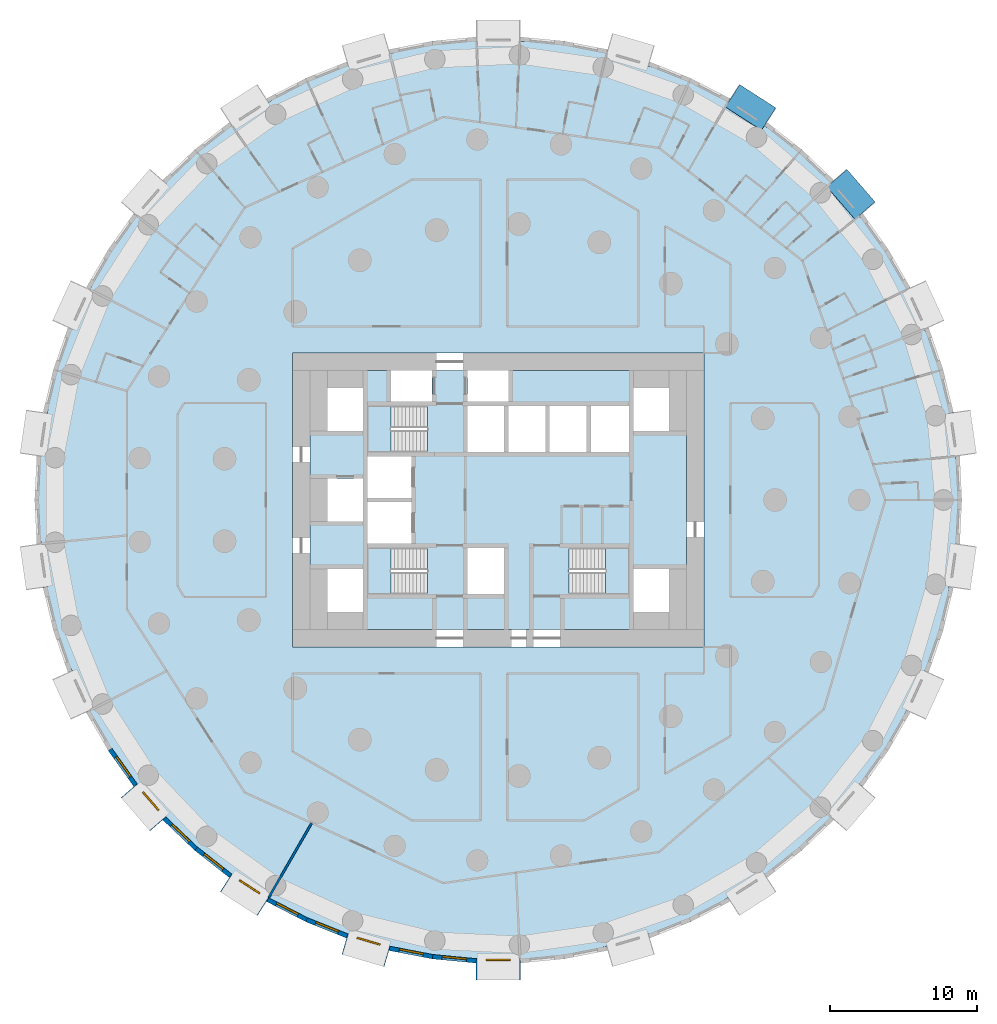
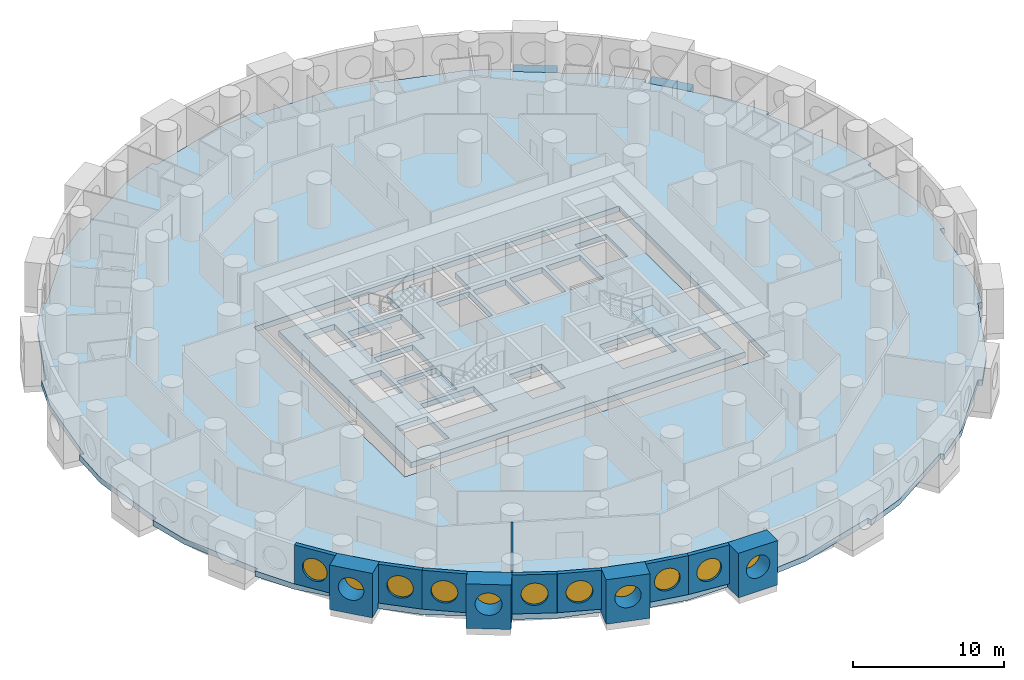
# One storey, part 2 of 12: 12 walls, 11 windows, 5 slabs, 2 beams, 11 openings, 3 elements without a shape of their own.
"""IFC4 building model written with IfcOpenShell, lengths in metres."""

from ifc_helpers import new_model, si_unit, direction, frame, frame_2d, origin, origin_2d, place, context, subcontext, project, spatial, polyline, rectangle, circle, outline, extrude, material, layer, layer_set, material_profile, profile_set, type_object, element, fill, aggregate, save


model = new_model("IFC4")

# Units and contexts
model_context = context("Model", 3, precision=1e-05, world=origin(), true_north=direction((0.0, 1.0)))
body_context = subcontext(model_context, "Body", "Model", "MODEL_VIEW")
ifc_project = project(units=[si_unit("LENGTHUNIT", "METRE"), si_unit("AREAUNIT", "SQUARE_METRE"), si_unit("VOLUMEUNIT", "CUBIC_METRE"), si_unit("PLANEANGLEUNIT", "RADIAN"), si_unit("MASSUNIT", "GRAM", prefix="KILO")], contexts=[model_context])

# Site, building, storey
site_placement = place(None, origin())
site = spatial("IfcSite", under=ifc_project, at=site_placement, CompositionType="ELEMENT")
building_placement = place(site_placement, origin())
building = spatial("IfcBuilding", under=site, at=building_placement, Name="Tracery Tower", CompositionType="ELEMENT")
storey_placement = place(building_placement, frame((0.0, 0.0, 46.199951171875)))
storey = spatial("IfcBuildingStorey", under=building, at=storey_placement, Name="L10", CompositionType="ELEMENT", Elevation=46.199951171875)

# Beams
ifc_material_1 = material(Name="Concrete C60/75", Category="concrete")
ifc_material_profile = material_profile(ifc_material_1, rectangle(XDim=1.81005859375, YDim=0.5, at=origin_2d()), Name="RC 1810x500")
ifc_profile_set = profile_set([ifc_material_profile], Name="Concrete C60/75")
beam_type = type_object("IfcBeamType", Name="Bay seat beam 1810 x 500", PredefinedType="BEAM", material=ifc_profile_set)
for number, where, z_axis, x_axis, name in (
    (1, (24.93896484375, 19.677978515625, -0.699951171875), (-0.65484458844, 0.755763564212, 0.0), (-0.755763564212, -0.65484458844, 0.0), "Bay seat beam 8 at L10"),
    (2, (18.384765625, 25.906982421875, -0.699951171875), (-0.84124638673, 0.540651936845, 0.0), (-0.540651936845, -0.84124638673, 0.0), "Bay seat beam 11 at L10"),
):
    element("IfcBeam", number, at=place(storey_placement, frame(where, z_axis=z_axis, x_axis=x_axis)), inside=storey, type_object=beam_type, Name=name, PredefinedType="BEAM", context=body_context, shape_type="SweptSolid", body=[
        extrude(rectangle(XDim=1.81005859375, YDim=0.5, at=origin_2d()), origin(), (0.0, 0.0, 1.0), 2.919921875),
    ])

# Slabs
ifc_material_2 = material(Name="Concrete C60/75", Category="concrete")
ifc_layer_1 = layer(ifc_material_2, 0.449951171875)
ifc_layer_set_1 = layer_set([ifc_layer_1], Name="Core floor slab 450 C60")
slab_type_1 = type_object("IfcSlabType", Name="Core floor slab 450 C60", PredefinedType="FLOOR", material=ifc_layer_set_1)
slab_1_placement = place(storey_placement, frame((0.0, 0.0, -0.449951171875)))
element("IfcSlab", 3, at=slab_1_placement, inside=storey, type_object=slab_type_1, Name="L10 core floor 1", PredefinedType="FLOOR", context=body_context, shape_type="SweptSolid", body=[
    extrude(outline(polyline([(-12.800048828125, 8.800048828125), (-7.300048828125, 8.800048828125), (-7.300048828125, 6.699951171875), (-4.5, 6.699951171875), (-4.5, 8.800048828125), (-2.10009765625, 8.800048828125), (-2.10009765625, 6.699951171875), (0.699951171875, 6.699951171875), (0.699951171875, 8.800048828125), (12.800048828125, 8.800048828125), (12.800048828125, -8.800048828125), (-12.800048828125, -8.800048828125), (-12.800048828125, 8.800048828125)]), holes=[polyline([(11.60009765625, -7.60009765625), (11.60009765625, -4.699951171875), (9.199951171875, -4.699951171875), (9.199951171875, -7.60009765625), (11.60009765625, -7.60009765625)]), polyline([(11.60009765625, 4.699951171875), (11.60009765625, 7.60009765625), (9.199951171875, 7.60009765625), (9.199951171875, 4.699951171875), (11.60009765625, 4.699951171875)]), polyline([(4.800537109375, -3.25), (4.800537109375, -6.39990234375), (8.89990234375, -6.39990234375), (8.89990234375, -3.25), (4.800537109375, -3.25)]), polyline([(6.300048828125, 3.25), (8.89990234375, 3.25), (8.89990234375, 6.39990234375), (6.300048828125, 6.39990234375), (6.300048828125, 3.25)]), polyline([(3.5, 3.25), (6.0, 3.25), (6.0, 6.39990234375), (3.5, 6.39990234375), (3.5, 3.25)]), polyline([(3.199951171875, 3.25), (3.199951171875, 6.39990234375), (0.699951171875, 6.39990234375), (0.699951171875, 3.25), (3.199951171875, 3.25)]), polyline([(-2.10009765625, 3.25), (0.39990234375, 3.25), (0.39990234375, 6.39990234375), (-2.10009765625, 6.39990234375), (-2.10009765625, 3.25)]), polyline([(0.39990234375, -6.39990234375), (0.39990234375, -3.25), (-2.10009765625, -3.25), (-2.10009765625, -6.39990234375), (0.39990234375, -6.39990234375)]), polyline([(-4.800537109375, -3.25), (-8.89990234375, -3.25), (-8.89990234375, -6.39990234375), (-4.800537109375, -6.39990234375), (-4.800537109375, -3.25)]), polyline([(-4.800537109375, 6.39990234375), (-8.89990234375, 6.39990234375), (-8.89990234375, 3.25), (-4.800537109375, 3.25), (-4.800537109375, 6.39990234375)]), polyline([(-8.89990234375, -2.949951171875), (-5.89990234375, -2.949951171875), (-5.89990234375, -0.14990234375), (-8.89990234375, -0.14990234375), (-8.89990234375, -2.949951171875)]), polyline([(-5.89990234375, 0.14990234375), (-5.89990234375, 2.949951171875), (-8.89990234375, 2.949951171875), (-8.89990234375, 0.14990234375), (-5.89990234375, 0.14990234375)]), polyline([(-11.60009765625, 4.699951171875), (-9.199951171875, 4.699951171875), (-9.199951171875, 7.60009765625), (-11.60009765625, 7.60009765625), (-11.60009765625, 4.699951171875)]), polyline([(-9.199951171875, -7.60009765625), (-9.199951171875, -4.699951171875), (-11.60009765625, -4.699951171875), (-11.60009765625, -7.60009765625), (-9.199951171875, -7.60009765625)]), polyline([(-9.199951171875, -1.449951171875), (-9.199951171875, 1.449951171875), (-11.60009765625, 1.449951171875), (-11.60009765625, -1.449951171875), (-9.199951171875, -1.449951171875)])]), origin(), (0.0, 0.0, 1.0), 0.449951171875),
])
ifc_material_3 = material(Name="Concrete C50/60", Category="concrete")
ifc_layer_2 = layer(ifc_material_3, 0.449951171875)
ifc_layer_set_2 = layer_set([ifc_layer_2], Name="Floor slab 450")
slab_type_2 = type_object("IfcSlabType", Name="Floor slab 450", PredefinedType="FLOOR", material=ifc_layer_set_2)
slab_2_placement = place(storey_placement, frame((0.0, 0.0, -0.449951171875)))
element("IfcSlab", 4, at=slab_2_placement, inside=storey, type_object=slab_type_2, Name="Floor slab L10", PredefinedType="FLOOR", context=body_context, shape_type="SweptSolid", body=[
    extrude(outline(polyline([(31.0849609375, 2.953857421875), (31.0849609375, 2.953857421875), (30.673583984375, 5.814697265625), (30.659912109375, 5.9091796875), (30.659912109375, 5.9091796875), (30.657958984375, 5.92333984375), (30.954345703125, 5.966064453125), (30.954833984375, 5.966064453125), (30.24755859375, 8.881591796875), (28.99365234375, 11.591796875), (28.993408203125, 11.591796875), (28.74609375, 12.1337890625), (27.753173828125, 14.307861328125), (27.753173828125, 14.307861328125), (27.747314453125, 14.32080078125), (28.020263671875, 14.4453125), (26.520263671875, 17.04345703125), (24.55322265625, 19.290771484375), (24.55322265625, 19.290771484375), (22.588623046875, 21.55810546875), (22.814697265625, 21.75390625), (22.8154296875, 21.75439453125), (20.644287109375, 23.82470703125), (18.123779296875, 25.4267578125), (18.123779296875, 25.4267578125), (18.12060546875, 25.428955078125), (18.11181640625, 25.4345703125), (15.612060546875, 27.041015625), (15.612060546875, 27.041015625), (15.60009765625, 27.048583984375), (15.76220703125, 27.301025390625), (13.095703125, 28.67578125), (10.226318359375, 29.5029296875), (10.226318359375, 29.5029296875), (7.34765625, 30.34814453125), (7.43212890625, 30.6357421875), (7.43212890625, 30.635986328125), (4.486328125, 31.20361328125), (1.5, 31.18896484375), (1.5, 31.18896484375), (-1.5, 31.18896484375), (-1.5, 31.489013671875), (-4.486328125, 31.20361328125), (-7.34765625, 30.34814453125), (-7.34765625, 30.34814453125), (-10.226318359375, 29.5029296875), (-10.310791015625, 29.790771484375), (-10.310791015625, 29.790771484375), (-13.095703125, 28.67578125), (-15.60009765625, 27.048828125), (-15.60009765625, 27.048583984375), (-15.60888671875, 27.04296875), (-15.612060546875, 27.041015625), (-18.11181640625, 25.4345703125), (-18.11181640625, 25.4345703125), (-18.123779296875, 25.4267578125), (-18.285888671875, 25.6787109375), (-18.2861328125, 25.67919921875), (-20.644287109375, 23.82470703125), (-22.5888671875, 21.55810546875), (-22.588623046875, 21.55810546875), (-24.55322265625, 19.290771484375), (-24.77978515625, 19.487060546875), (-24.780029296875, 19.4873046875), (-26.520263671875, 17.04345703125), (-27.747314453125, 14.32080078125), (-27.747314453125, 14.32080078125), (-27.751708984375, 14.311279296875), (-27.753173828125, 14.307861328125), (-28.74609375, 12.1337890625), (-28.993408203125, 11.591796875), (-29.266357421875, 11.716552734375), (-30.24755859375, 8.881591796875), (-30.657958984375, 5.92333984375), (-30.657958984375, 5.92333984375), (-30.659912109375, 5.909423828125), (-30.659912109375, 5.9091796875), (-30.673583984375, 5.814697265625), (-31.0849609375, 2.953857421875), (-31.381591796875, 2.99658203125), (-31.3818359375, 2.99658203125), (-31.524658203125, 0.0), (-31.0849609375, -2.953857421875), (-31.0849609375, -2.953857421875), (-30.673583984375, -5.814697265625), (-30.659912109375, -5.9091796875), (-30.659912109375, -5.9091796875), (-30.657958984375, -5.92333984375), (-30.954345703125, -5.966064453125), (-30.954833984375, -5.966064453125), (-30.24755859375, -8.881591796875), (-28.99365234375, -11.591796875), (-28.993408203125, -11.591796875), (-28.74609375, -12.1337890625), (-27.753173828125, -14.307861328125), (-27.753173828125, -14.307861328125), (-27.747314453125, -14.32080078125), (-28.020263671875, -14.4453125), (-26.520263671875, -17.04345703125), (-24.55322265625, -19.290771484375), (-24.55322265625, -19.290771484375), (-22.588623046875, -21.55810546875), (-22.814697265625, -21.75390625), (-22.8154296875, -21.75439453125), (-20.644287109375, -23.82470703125), (-18.123779296875, -25.4267578125), (-18.123779296875, -25.4267578125), (-18.12060546875, -25.428955078125), (-18.11181640625, -25.4345703125), (-15.612060546875, -27.041015625), (-15.612060546875, -27.041015625), (-15.60009765625, -27.048583984375), (-15.76220703125, -27.301025390625), (-13.095703125, -28.67578125), (-10.226318359375, -29.5029296875), (-10.226318359375, -29.5029296875), (-7.34765625, -30.34814453125), (-7.43212890625, -30.6357421875), (-7.43212890625, -30.635986328125), (-4.486328125, -31.20361328125), (-1.5, -31.18896484375), (-1.5, -31.18896484375), (1.5, -31.18896484375), (1.5, -31.489013671875), (4.486328125, -31.20361328125), (7.34765625, -30.34814453125), (7.34765625, -30.34814453125), (10.226318359375, -29.5029296875), (10.310791015625, -29.790771484375), (10.310791015625, -29.790771484375), (13.095703125, -28.67578125), (15.60009765625, -27.048828125), (15.60009765625, -27.048583984375), (15.60888671875, -27.04296875), (15.612060546875, -27.041015625), (18.11181640625, -25.4345703125), (18.11181640625, -25.4345703125), (18.123779296875, -25.4267578125), (18.285888671875, -25.6787109375), (18.2861328125, -25.67919921875), (20.644287109375, -23.82470703125), (22.5888671875, -21.55810546875), (22.588623046875, -21.55810546875), (24.55322265625, -19.290771484375), (24.77978515625, -19.487060546875), (24.780029296875, -19.4873046875), (26.520263671875, -17.04345703125), (27.747314453125, -14.32080078125), (27.747314453125, -14.32080078125), (27.751708984375, -14.311279296875), (27.753173828125, -14.307861328125), (28.74609375, -12.1337890625), (28.993408203125, -11.591796875), (29.266357421875, -11.716552734375), (30.24755859375, -8.881591796875), (30.657958984375, -5.92333984375), (30.657958984375, -5.92333984375), (30.659912109375, -5.909423828125), (30.659912109375, -5.9091796875), (30.673583984375, -5.814697265625), (31.0849609375, -2.953857421875), (31.381591796875, -2.99658203125), (31.3818359375, -2.99658203125), (31.524658203125, 0.0), (31.0849609375, 2.953857421875)]), holes=[polyline([(-14.0, -10.0), (14.0, -10.0), (14.0, 10.0), (-14.0, 10.0), (-14.0, -10.0)])]), origin(), (0.0, 0.0, 1.0), 0.449951171875),
])

# Stair, slab
ifc_material_4 = material(Name="Concrete C32/40", Category="concrete")
stair_type = type_object("IfcStairType", Name="Core stair 22 risers", PredefinedType="HALF_TURN_STAIR", material=ifc_material_4)
stair_1_placement = place(storey_placement, origin())
stair_1 = element("IfcStair", 5, at=stair_1_placement, inside=storey, type_object=stair_type, Name="L10 stair ST1", PredefinedType="HALF_TURN_STAIR")
ifc_material_5 = material(Name="Concrete C32/40", Category="concrete")
ifc_layer_3 = layer(ifc_material_5, 0.199951171875)
ifc_layer_set_3 = layer_set([ifc_layer_3], Name="Stair landing slab 200")
slab_type_3 = type_object("IfcSlabType", Name="Stair landing slab 200", PredefinedType="LANDING", material=ifc_layer_set_3)
slab_3_placement = place(storey_placement, frame((0.0, 0.0, 1.60009765625)))
slab_3 = element("IfcSlab", 6, at=slab_3_placement, type_object=slab_type_3, Name="ST1 landing 1", PredefinedType="LANDING", context=body_context, shape_type="SweptSolid", body=[
    extrude(outline(polyline([(-7.29931640625, -3.25), (-8.89990234375, -3.25), (-8.89990234375, -6.39990234375), (-7.29931640625, -6.39990234375), (-7.29931640625, -3.25)])), origin(), (0.0, 0.0, 1.0), 0.199951171875),
])
aggregate(stair_1, [slab_3])

stair_2_placement = place(storey_placement, origin())
stair_2 = element("IfcStair", 7, at=stair_2_placement, inside=storey, type_object=stair_type, Name="L10 stair ST3", PredefinedType="HALF_TURN_STAIR")
slab_4_placement = place(storey_placement, frame((0.0, 0.0, 1.60009765625)))
slab_4 = element("IfcSlab", 8, at=slab_4_placement, type_object=slab_type_3, Name="ST3 landing 1", PredefinedType="LANDING", context=body_context, shape_type="SweptSolid", body=[
    extrude(outline(polyline([(-7.29931640625, 6.39990234375), (-8.89990234375, 6.39990234375), (-8.89990234375, 3.25), (-7.29931640625, 3.25), (-7.29931640625, 6.39990234375)])), origin(), (0.0, 0.0, 1.0), 0.199951171875),
])
aggregate(stair_2, [slab_4])

stair_3_placement = place(storey_placement, origin())
stair_3 = element("IfcStair", 9, at=stair_3_placement, inside=storey, type_object=stair_type, Name="L10 stair ST2", PredefinedType="HALF_TURN_STAIR")
slab_5_placement = place(storey_placement, frame((0.0, 0.0, 1.60009765625)))
slab_5 = element("IfcSlab", 10, at=slab_5_placement, type_object=slab_type_3, Name="ST2 landing 1", PredefinedType="LANDING", context=body_context, shape_type="SweptSolid", body=[
    extrude(outline(polyline([(7.29931640625, -6.39990234375), (8.89990234375, -6.39990234375), (8.89990234375, -3.25), (7.29931640625, -3.25), (7.29931640625, -6.39990234375)])), origin(), (0.0, 0.0, 1.0), 0.199951171875),
])
aggregate(stair_3, [slab_5])

# Wall, opening, window
ifc_material_6 = material(Name="Precast concrete C50/60", Category="concrete")
ifc_layer_4 = layer(ifc_material_6, 1.449951171875)
ifc_layer_set_4 = layer_set([ifc_layer_4], Name="Deep-set bay unit 3000 x 3600, slab edge 450")
wall_type_1 = type_object("IfcWallType", Name="Deep-set bay unit 3000 x 3600, slab edge 450", PredefinedType="ELEMENTEDWALL", material=ifc_layer_set_4)
wall_1_placement = place(storey_placement, frame((-25.101318359375, -19.765625, -0.449951171875), z_axis=(0.0, 0.0, 1.0), x_axis=(0.654890259022, -0.75572398972, 0.0)))
wall_1 = element("IfcWall", 11, at=wall_1_placement, inside=storey, type_object=wall_type_1, Name="Deep-set bay unit 41 at L10", PredefinedType="ELEMENTEDWALL", context=body_context, shape_type="SweptSolid", body=[
    extrude(rectangle(XDim=3.0, YDim=1.449951171875, at=frame_2d((1.5, 0.0))), origin(), (0.0, 0.0, 1.0), 3.60009765625),
])
opening_1_placement = place(wall_1_placement, frame((1.5, 0.0, 2.0)))
opening_1 = element("IfcOpeningElement", 12, at=opening_1_placement, cuts=wall_1, Name="Opening WN1", PredefinedType="OPENING", context=body_context, shape_type="SweptSolid", body=[
    extrude(circle(Radius=0.9000244140625, at=origin_2d()), frame((0.0, 0.73486328125, 0.0), z_axis=(0.0, -1.0, 0.0), x_axis=(1.0, 0.0, 0.0)), (0.0, 0.0, 1.0), 1.469970703125),
])
ifc_material_7 = material(Name="Aluminium frame with tinted double glazing", Category="aluminium")
window_type = type_object("IfcWindowType", Name="Round window 1800", PartitioningType="SINGLE_PANEL", PredefinedType="WINDOW", material=ifc_material_7)
window_1_placement = place(opening_1_placement, origin())
window_1 = element("IfcWindow", 13, at=window_1_placement, inside=storey, type_object=window_type, Name="Round window 41 at L10", OverallHeight=1.800048828125, OverallWidth=1.800048828125, PartitioningType="SINGLE_PANEL", PredefinedType="WINDOW", context=body_context, shape_type="SweptSolid", body=[
    extrude(circle(Radius=0.9000244140625, at=origin_2d()), frame((0.0, 0.69482421875, 0.0), z_axis=(0.0, -1.0, 0.0), x_axis=(1.0, 0.0, 0.0)), (0.0, 0.0, 1.0), 0.10009765625),
])
fill(opening_1, window_1)

wall_2_placement = place(storey_placement, frame((-18.515869140625, -26.03662109375, -0.449951171875), z_axis=(0.0, 0.0, 1.0), x_axis=(0.841223422347, -0.540687667415, 0.0)))
wall_2 = element("IfcWall", 14, at=wall_2_placement, inside=storey, type_object=wall_type_1, Name="Deep-set bay unit 44 at L10", PredefinedType="ELEMENTEDWALL", context=body_context, shape_type="SweptSolid", body=[
    extrude(rectangle(XDim=3.0, YDim=1.449951171875, at=frame_2d((1.5, 0.0))), origin(), (0.0, 0.0, 1.0), 3.60009765625),
])
opening_2_placement = place(wall_2_placement, frame((1.5, 0.0, 2.0)))
opening_2 = element("IfcOpeningElement", 15, at=opening_2_placement, cuts=wall_2, Name="Opening WN1", PredefinedType="OPENING", context=body_context, shape_type="SweptSolid", body=[
    extrude(circle(Radius=0.9000244140625, at=origin_2d()), frame((0.0, 0.73486328125, 0.0), z_axis=(0.0, -1.0, 0.0), x_axis=(1.0, 0.0, 0.0)), (0.0, 0.0, 1.0), 1.469970703125),
])
window_2_placement = place(opening_2_placement, origin())
window_2 = element("IfcWindow", 16, at=window_2_placement, inside=storey, type_object=window_type, Name="Round window 44 at L10", OverallHeight=1.800048828125, OverallWidth=1.800048828125, PartitioningType="SINGLE_PANEL", PredefinedType="WINDOW", context=body_context, shape_type="SweptSolid", body=[
    extrude(circle(Radius=0.9000244140625, at=origin_2d()), frame((0.0, 0.69482421875, 0.0), z_axis=(0.0, -1.0, 0.0), x_axis=(1.0, 0.0, 0.0)), (0.0, 0.0, 1.0), 0.10009765625),
])
fill(opening_2, window_2)

wall_3_placement = place(storey_placement, frame((-10.430419921875, -30.198486328125, -0.449951171875), z_axis=(0.0, 0.0, 1.0), x_axis=(0.959489813418, -0.281743319258, 0.0)))
wall_3 = element("IfcWall", 17, at=wall_3_placement, inside=storey, type_object=wall_type_1, Name="Deep-set bay unit 47 at L10", PredefinedType="ELEMENTEDWALL", context=body_context, shape_type="SweptSolid", body=[
    extrude(rectangle(XDim=3.0, YDim=1.449951171875, at=frame_2d((1.5, 0.0))), origin(), (0.0, 0.0, 1.0), 3.60009765625),
])
opening_3_placement = place(wall_3_placement, frame((1.5, 0.0, 2.0)))
opening_3 = element("IfcOpeningElement", 18, at=opening_3_placement, cuts=wall_3, Name="Opening WN1", PredefinedType="OPENING", context=body_context, shape_type="SweptSolid", body=[
    extrude(circle(Radius=0.9000244140625, at=origin_2d()), frame((0.0, 0.73486328125, 0.0), z_axis=(0.0, -1.0, 0.0), x_axis=(1.0, 0.0, 0.0)), (0.0, 0.0, 1.0), 1.469970703125),
])
window_3_placement = place(opening_3_placement, origin())
window_3 = element("IfcWindow", 19, at=window_3_placement, inside=storey, type_object=window_type, Name="Round window 47 at L10", OverallHeight=1.800048828125, OverallWidth=1.800048828125, PartitioningType="SINGLE_PANEL", PredefinedType="WINDOW", context=body_context, shape_type="SweptSolid", body=[
    extrude(circle(Radius=0.9000244140625, at=origin_2d()), frame((0.0, 0.69482421875, 0.0), z_axis=(0.0, -1.0, 0.0), x_axis=(1.0, 0.0, 0.0)), (0.0, 0.0, 1.0), 0.10009765625),
])
fill(opening_3, window_3)

wall_4_placement = place(storey_placement, frame((-1.5, -31.913818359375, -0.449951171875), z_axis=(0.0, 0.0, 1.0), x_axis=(1.0, 0.0, 0.0)))
wall_4 = element("IfcWall", 20, at=wall_4_placement, inside=storey, type_object=wall_type_1, Name="Deep-set bay unit 50 at L10", PredefinedType="ELEMENTEDWALL", context=body_context, shape_type="SweptSolid", body=[
    extrude(rectangle(XDim=3.0, YDim=1.449951171875, at=frame_2d((1.5, 0.0))), origin(), (0.0, 0.0, 1.0), 3.60009765625),
])
opening_4_placement = place(wall_4_placement, frame((1.5, 0.0, 2.0)))
opening_4 = element("IfcOpeningElement", 21, at=opening_4_placement, cuts=wall_4, Name="Opening WN1", PredefinedType="OPENING", context=body_context, shape_type="SweptSolid", body=[
    extrude(circle(Radius=0.9000244140625, at=origin_2d()), frame((0.0, 0.73486328125, 0.0), z_axis=(0.0, -1.0, 0.0), x_axis=(1.0, 0.0, 0.0)), (0.0, 0.0, 1.0), 1.469970703125),
])
window_4_placement = place(opening_4_placement, origin())
window_4 = element("IfcWindow", 22, at=window_4_placement, inside=storey, type_object=window_type, Name="Round window 50 at L10", OverallHeight=1.800048828125, OverallWidth=1.800048828125, PartitioningType="SINGLE_PANEL", PredefinedType="WINDOW", context=body_context, shape_type="SweptSolid", body=[
    extrude(circle(Radius=0.9000244140625, at=origin_2d()), frame((0.0, 0.69482421875, 0.0), z_axis=(0.0, -1.0, 0.0), x_axis=(1.0, 0.0, 0.0)), (0.0, 0.0, 1.0), 0.10009765625),
])
fill(opening_4, window_4)

ifc_material_8 = material(Name="Precast concrete C50/60", Category="concrete")
ifc_layer_5 = layer(ifc_material_8, 0.300048828125)
ifc_layer_set_5 = layer_set([ifc_layer_5], Name="Facade panel 3000 x 3150")
wall_type_2 = type_object("IfcWallType", Name="Facade panel 3000 x 3150", PredefinedType="SOLIDWALL", material=ifc_layer_set_5)
wall_5_placement = place(storey_placement, frame((-26.393798828125, -16.96240234375, 0.0), z_axis=(0.0, 0.0, 1.0), x_axis=(0.580059407678, -0.81457417315, 0.0)))
wall_5 = element("IfcWall", 23, at=wall_5_placement, inside=storey, type_object=wall_type_2, Name="Facade panel 40 at L10", PredefinedType="SOLIDWALL", context=body_context, shape_type="SweptSolid", body=[
    extrude(rectangle(XDim=2.9794921875, YDim=0.300048828125, at=frame_2d((1.48974609375, 0.0))), origin(), (0.0, 0.0, 1.0), 3.150146484375),
])
opening_5_placement = place(wall_5_placement, frame((1.48974609375, 0.0, 1.5498046875)))
opening_5 = element("IfcOpeningElement", 24, at=opening_5_placement, cuts=wall_5, Name="Opening WN1", PredefinedType="OPENING", context=body_context, shape_type="SweptSolid", body=[
    extrude(circle(Radius=0.9000244140625, at=origin_2d()), frame((0.0, 0.159912109375, 0.0), z_axis=(0.0, -1.0, 0.0), x_axis=(1.0, 0.0, 0.0)), (0.0, 0.0, 1.0), 0.320068359375),
])
window_5_placement = place(opening_5_placement, origin())
window_5 = element("IfcWindow", 25, at=window_5_placement, inside=storey, type_object=window_type, Name="Round window 40 at L10", OverallHeight=1.800048828125, OverallWidth=1.800048828125, PartitioningType="SINGLE_PANEL", PredefinedType="WINDOW", context=body_context, shape_type="SweptSolid", body=[
    extrude(circle(Radius=0.9000244140625, at=origin_2d()), frame((0.0, 0.1201171875, 0.0), z_axis=(0.0, -1.0, 0.0), x_axis=(1.0, 0.0, 0.0)), (0.0, 0.0, 1.0), 0.10009765625),
])
fill(opening_5, window_5)

wall_6_placement = place(storey_placement, frame((-22.702392578125, -21.655029296875, 0.0), z_axis=(0.0, 0.0, 1.0), x_axis=(0.723744206617, -0.690068346896, 0.0)))
wall_6 = element("IfcWall", 26, at=wall_6_placement, inside=storey, type_object=wall_type_2, Name="Facade panel 42 at L10", PredefinedType="SOLIDWALL", context=body_context, shape_type="SweptSolid", body=[
    extrude(rectangle(XDim=2.979736328125, YDim=0.300048828125, at=frame_2d((1.48974609375, 0.0))), origin(), (0.0, 0.0, 1.0), 3.150146484375),
])
opening_6_placement = place(wall_6_placement, frame((1.48974609375, 0.0, 1.5498046875)))
opening_6 = element("IfcOpeningElement", 27, at=opening_6_placement, cuts=wall_6, Name="Opening WN1", PredefinedType="OPENING", context=body_context, shape_type="SweptSolid", body=[
    extrude(circle(Radius=0.9000244140625, at=origin_2d()), frame((0.0, 0.159912109375, 0.0), z_axis=(0.0, -1.0, 0.0), x_axis=(1.0, 0.0, 0.0)), (0.0, 0.0, 1.0), 0.320068359375),
])
window_6_placement = place(opening_6_placement, origin())
window_6 = element("IfcWindow", 28, at=window_6_placement, inside=storey, type_object=window_type, Name="Round window 42 at L10", OverallHeight=1.800048828125, OverallWidth=1.800048828125, PartitioningType="SINGLE_PANEL", PredefinedType="WINDOW", context=body_context, shape_type="SweptSolid", body=[
    extrude(circle(Radius=0.9000244140625, at=origin_2d()), frame((0.0, 0.1201171875, 0.0), z_axis=(0.0, -1.0, 0.0), x_axis=(1.0, 0.0, 0.0)), (0.0, 0.0, 1.0), 0.10009765625),
])
fill(opening_6, window_6)

wall_7_placement = place(storey_placement, frame((-20.5458984375, -23.711181640625, 0.0), z_axis=(0.0, 0.0, 1.0), x_axis=(0.786045331304, -0.618168858108, 0.0)))
wall_7 = element("IfcWall", 29, at=wall_7_placement, inside=storey, type_object=wall_type_2, Name="Facade panel 43 at L10", PredefinedType="SOLIDWALL", context=body_context, shape_type="SweptSolid", body=[
    extrude(rectangle(XDim=2.979736328125, YDim=0.300048828125, at=frame_2d((1.48974609375, 0.0))), origin(), (0.0, 0.0, 1.0), 3.150146484375),
])
opening_7_placement = place(wall_7_placement, frame((1.48974609375, 0.0, 1.5498046875)))
opening_7 = element("IfcOpeningElement", 30, at=opening_7_placement, cuts=wall_7, Name="Opening WN1", PredefinedType="OPENING", context=body_context, shape_type="SweptSolid", body=[
    extrude(circle(Radius=0.9000244140625, at=origin_2d()), frame((0.0, 0.159912109375, 0.0), z_axis=(0.0, -1.0, 0.0), x_axis=(1.0, 0.0, 0.0)), (0.0, 0.0, 1.0), 0.320068359375),
])
window_7_placement = place(opening_7_placement, origin())
window_7 = element("IfcWindow", 31, at=window_7_placement, inside=storey, type_object=window_type, Name="Round window 43 at L10", OverallHeight=1.800048828125, OverallWidth=1.800048828125, PartitioningType="SINGLE_PANEL", PredefinedType="WINDOW", context=body_context, shape_type="SweptSolid", body=[
    extrude(circle(Radius=0.9000244140625, at=origin_2d()), frame((0.0, 0.1201171875, 0.0), z_axis=(0.0, -1.0, 0.0), x_axis=(1.0, 0.0, 0.0)), (0.0, 0.0, 1.0), 0.10009765625),
])
fill(opening_7, window_7)

wall_8_placement = place(storey_placement, frame((-15.681884765625, -27.173828125, 0.0), z_axis=(0.0, 0.0, 1.0), x_axis=(0.888819853856, -0.458256770153, 0.0)))
wall_8 = element("IfcWall", 32, at=wall_8_placement, inside=storey, type_object=wall_type_2, Name="Facade panel 45 at L10", PredefinedType="SOLIDWALL", context=body_context, shape_type="SweptSolid", body=[
    extrude(rectangle(XDim=2.979736328125, YDim=0.300048828125, at=frame_2d((1.48974609375, 0.0))), origin(), (0.0, 0.0, 1.0), 3.150146484375),
])
opening_8_placement = place(wall_8_placement, frame((1.48974609375, 0.0, 1.5498046875)))
opening_8 = element("IfcOpeningElement", 33, at=opening_8_placement, cuts=wall_8, Name="Opening WN1", PredefinedType="OPENING", context=body_context, shape_type="SweptSolid", body=[
    extrude(circle(Radius=0.9000244140625, at=origin_2d()), frame((0.0, 0.159912109375, 0.0), z_axis=(0.0, -1.0, 0.0), x_axis=(1.0, 0.0, 0.0)), (0.0, 0.0, 1.0), 0.320068359375),
])
window_8_placement = place(opening_8_placement, origin())
window_8 = element("IfcWindow", 34, at=window_8_placement, inside=storey, type_object=window_type, Name="Round window 45 at L10", OverallHeight=1.800048828125, OverallWidth=1.800048828125, PartitioningType="SINGLE_PANEL", PredefinedType="WINDOW", context=body_context, shape_type="SweptSolid", body=[
    extrude(circle(Radius=0.9000244140625, at=origin_2d()), frame((0.0, 0.1201171875, 0.0), z_axis=(0.0, -1.0, 0.0), x_axis=(1.0, 0.0, 0.0)), (0.0, 0.0, 1.0), 0.10009765625),
])
fill(opening_8, window_8)

wall_9_placement = place(storey_placement, frame((-13.033447265625, -28.539306640625, 0.0), z_axis=(0.0, 0.0, 1.0), x_axis=(0.928403213937, -0.371574316054, 0.0)))
wall_9 = element("IfcWall", 35, at=wall_9_placement, inside=storey, type_object=wall_type_2, Name="Facade panel 46 at L10", PredefinedType="SOLIDWALL", context=body_context, shape_type="SweptSolid", body=[
    extrude(rectangle(XDim=2.979736328125, YDim=0.300048828125, at=frame_2d((1.48974609375, 0.0))), origin(), (0.0, 0.0, 1.0), 3.150146484375),
])
opening_9_placement = place(wall_9_placement, frame((1.48974609375, 0.0, 1.5498046875)))
opening_9 = element("IfcOpeningElement", 36, at=opening_9_placement, cuts=wall_9, Name="Opening WN1", PredefinedType="OPENING", context=body_context, shape_type="SweptSolid", body=[
    extrude(circle(Radius=0.9000244140625, at=origin_2d()), frame((0.0, 0.159912109375, 0.0), z_axis=(0.0, -1.0, 0.0), x_axis=(1.0, 0.0, 0.0)), (0.0, 0.0, 1.0), 0.320068359375),
])
window_9_placement = place(opening_9_placement, origin())
window_9 = element("IfcWindow", 37, at=window_9_placement, inside=storey, type_object=window_type, Name="Round window 46 at L10", OverallHeight=1.800048828125, OverallWidth=1.800048828125, PartitioningType="SINGLE_PANEL", PredefinedType="WINDOW", context=body_context, shape_type="SweptSolid", body=[
    extrude(circle(Radius=0.9000244140625, at=origin_2d()), frame((0.0, 0.1201171875, 0.0), z_axis=(0.0, -1.0, 0.0), x_axis=(1.0, 0.0, 0.0)), (0.0, 0.0, 1.0), 0.10009765625),
])
fill(opening_9, window_9)

wall_10_placement = place(storey_placement, frame((-7.390869140625, -30.4912109375, 0.0), z_axis=(0.0, 0.0, 1.0), x_axis=(0.981924535406, -0.189272836848, 0.0)))
wall_10 = element("IfcWall", 38, at=wall_10_placement, inside=storey, type_object=wall_type_2, Name="Facade panel 48 at L10", PredefinedType="SOLIDWALL", context=body_context, shape_type="SweptSolid", body=[
    extrude(rectangle(XDim=2.979736328125, YDim=0.300048828125, at=frame_2d((1.48974609375, 0.0))), origin(), (0.0, 0.0, 1.0), 3.150146484375),
])
opening_10_placement = place(wall_10_placement, frame((1.48974609375, 0.0, 1.5498046875)))
opening_10 = element("IfcOpeningElement", 39, at=opening_10_placement, cuts=wall_10, Name="Opening WN1", PredefinedType="OPENING", context=body_context, shape_type="SweptSolid", body=[
    extrude(circle(Radius=0.9000244140625, at=origin_2d()), frame((0.0, 0.159912109375, 0.0), z_axis=(0.0, -1.0, 0.0), x_axis=(1.0, 0.0, 0.0)), (0.0, 0.0, 1.0), 0.320068359375),
])
window_10_placement = place(opening_10_placement, origin())
window_10 = element("IfcWindow", 40, at=window_10_placement, inside=storey, type_object=window_type, Name="Round window 48 at L10", OverallHeight=1.800048828125, OverallWidth=1.800048828125, PartitioningType="SINGLE_PANEL", PredefinedType="WINDOW", context=body_context, shape_type="SweptSolid", body=[
    extrude(circle(Radius=0.9000244140625, at=origin_2d()), frame((0.0, 0.1201171875, 0.0), z_axis=(0.0, -1.0, 0.0), x_axis=(1.0, 0.0, 0.0)), (0.0, 0.0, 1.0), 0.10009765625),
])
fill(opening_10, window_10)

wall_11_placement = place(storey_placement, frame((-4.465087890625, -31.05517578125, 0.0), z_axis=(0.0, 0.0, 1.0), x_axis=(0.995473351551, -0.095041077185, 0.0)))
wall_11 = element("IfcWall", 41, at=wall_11_placement, inside=storey, type_object=wall_type_2, Name="Facade panel 49 at L10", PredefinedType="SOLIDWALL", context=body_context, shape_type="SweptSolid", body=[
    extrude(rectangle(XDim=2.979736328125, YDim=0.300048828125, at=frame_2d((1.48974609375, 0.0))), origin(), (0.0, 0.0, 1.0), 3.150146484375),
])
opening_11_placement = place(wall_11_placement, frame((1.48974609375, 0.0, 1.5498046875)))
opening_11 = element("IfcOpeningElement", 42, at=opening_11_placement, cuts=wall_11, Name="Opening WN1", PredefinedType="OPENING", context=body_context, shape_type="SweptSolid", body=[
    extrude(circle(Radius=0.9000244140625, at=origin_2d()), frame((0.0, 0.159912109375, 0.0), z_axis=(0.0, -1.0, 0.0), x_axis=(1.0, 0.0, 0.0)), (0.0, 0.0, 1.0), 0.320068359375),
])
window_11_placement = place(opening_11_placement, origin())
window_11 = element("IfcWindow", 43, at=window_11_placement, inside=storey, type_object=window_type, Name="Round window 49 at L10", OverallHeight=1.800048828125, OverallWidth=1.800048828125, PartitioningType="SINGLE_PANEL", PredefinedType="WINDOW", context=body_context, shape_type="SweptSolid", body=[
    extrude(circle(Radius=0.9000244140625, at=origin_2d()), frame((0.0, 0.1201171875, 0.0), z_axis=(0.0, -1.0, 0.0), x_axis=(1.0, 0.0, 0.0)), (0.0, 0.0, 1.0), 0.10009765625),
])
fill(opening_11, window_11)

# Wall
ifc_material_9 = material(Name="Plasterboard on steel studs", Category="steel")
ifc_layer_6 = layer(ifc_material_9, 0.14990234375)
ifc_layer_set_6 = layer_set([ifc_layer_6], Name="Partition 150 acoustic unit wall")
wall_type_3 = type_object("IfcWallType", Name="Partition 150 acoustic unit wall", PredefinedType="PARTITIONING", material=ifc_layer_set_6)
wall_12_placement = place(storey_placement, frame((-15.612060546875, -27.041015625, 0.0), z_axis=(0.0, 0.0, 1.0), x_axis=(0.499954606878, 0.86605160993, 0.0)))
element("IfcWall", 44, at=wall_12_placement, inside=storey, type_object=wall_type_3, Name="Unit wall RA2-120", PredefinedType="PARTITIONING", context=body_context, shape_type="SweptSolid", body=[
    extrude(rectangle(XDim=5.8564453125, YDim=0.14990234375, at=frame_2d((2.92822265625, 0.0))), origin(), (0.0, 0.0, 1.0), 3.150146484375),
])

save(model, "model.ifc")
